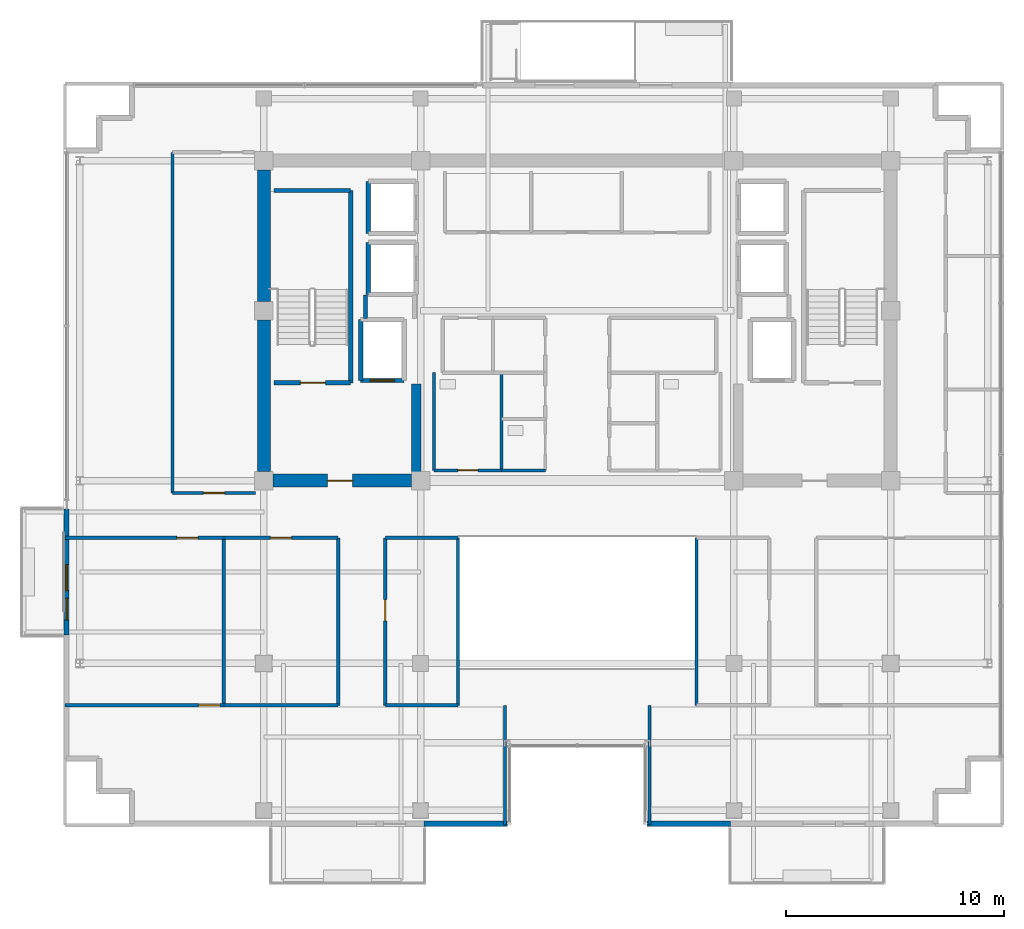
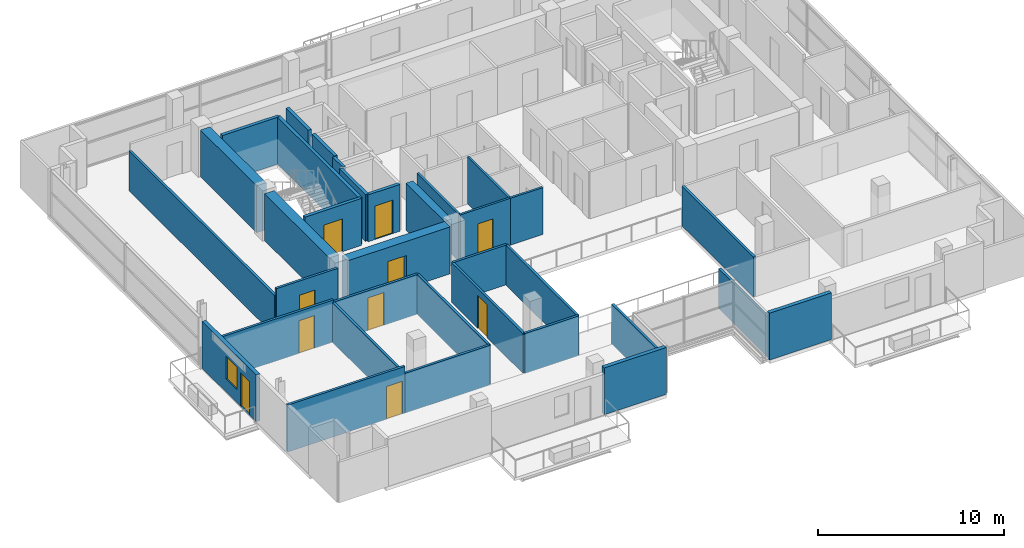
# One storey, part 16 of 24: 34 walls, 10 doors, 1 window, 11 openings.
"""IFC4 building model written with IfcOpenShell, lengths in metres."""

from ifc_helpers import new_model, si_unit, direction, frame, frame_2d, origin, place, context, subcontext, project, spatial, rectangle, extrude, source, transform, mapped, material, layer, layer_set, type_object, element, fill, save


model = new_model("IFC4")

# Units and contexts
model_context = context("Model", 3, precision=1e-05, world=origin(), true_north=direction((0.0, 1.0)))
body_context = subcontext(model_context, "Body", "Model", "MODEL_VIEW")
ifc_project = project(units=[si_unit("LENGTHUNIT", "METRE"), si_unit("AREAUNIT", "SQUARE_METRE"), si_unit("VOLUMEUNIT", "CUBIC_METRE"), si_unit("PLANEANGLEUNIT", "RADIAN"), si_unit("MASSUNIT", "GRAM", prefix="KILO")], contexts=[model_context])

# Site, building, storey
site_placement = place(None, origin())
site = spatial("IfcSite", under=ifc_project, at=site_placement, CompositionType="ELEMENT")
building_placement = place(site_placement, origin())
building = spatial("IfcBuilding", under=site, at=building_placement, Name="Zarnakvel Exchange Tower", CompositionType="ELEMENT")
storey_placement = place(building_placement, frame((0.0, 0.0, 208.89990234375)))
storey = spatial("IfcBuildingStorey", under=building, at=storey_placement, Name="L58", CompositionType="ELEMENT", Elevation=208.89990234375)

# Walls
ifc_material_1 = material(Name="Concrete C50/60", Category="concrete")
ifc_layer_1 = layer(ifc_material_1, 0.60009765625)
ifc_layer_set_1 = layer_set([ifc_layer_1], Name="Concrete C50/60")
wall_type_1 = type_object("IfcWallType", Name="CW-C5", PredefinedType="SHEAR", material=ifc_layer_set_1)
wall_1_placement = place(storey_placement, frame((-14.39990234375, -0.77490234375, 0.0), z_axis=(0.0, 0.0, 1.0), x_axis=(0.0, 1.0, 0.0)))
element("IfcWall", 1, at=wall_1_placement, inside=storey, type_object=wall_type_1, Name="L58 Rear Core Shear Wall W1 (CW-C5)", PredefinedType="SHEAR", context=body_context, shape_type="SweptSolid", body=[
    extrude(rectangle(XDim=6.949951171875, YDim=0.60009765625, at=frame_2d((3.47509765625, 0.0))), origin(), (0.0, 0.0, 1.0), 3.0751953125),
])
wall_2_placement = place(storey_placement, frame((-14.39990234375, 7.02490234375, 0.0), z_axis=(0.0, 0.0, 1.0), x_axis=(0.0, 1.0, 0.0)))
element("IfcWall", 2, at=wall_2_placement, inside=storey, type_object=wall_type_1, Name="L58 Rear Core Shear Wall W2 (CW-C5)", PredefinedType="SHEAR", context=body_context, shape_type="SweptSolid", body=[
    extrude(rectangle(XDim=6.050048828125, YDim=0.60009765625, at=frame_2d((3.02490234375, 0.0))), origin(), (0.0, 0.0, 1.0), 3.0751953125),
])

# Wall, opening, door
wall_3_placement = place(storey_placement, frame((-7.625, -1.199951171875, 0.0), z_axis=(0.0, 0.0, 1.0), x_axis=(-1.0, 0.0, 0.0)))
wall_3 = element("IfcWall", 3, at=wall_3_placement, inside=storey, type_object=wall_type_1, Name="L58 Rear Core Shear Wall SW (CW-C5)", PredefinedType="SHEAR", context=body_context, shape_type="SweptSolid", body=[
    extrude(rectangle(XDim=6.35009765625, YDim=0.60009765625, at=frame_2d((3.175048828125, 0.0))), origin(), (0.0, 0.0, 1.0), 3.0751953125),
])
opening_1_placement = place(wall_3_placement, frame((2.699951171875, 0.0, 0.0)))
opening_1 = element("IfcOpeningElement", 4, at=opening_1_placement, cuts=wall_3, Name="Opening D-L58-03", PredefinedType="OPENING", context=body_context, shape_type="SweptSolid", body=[
    extrude(rectangle(XDim=1.14990234375, YDim=2.14990234375, at=frame_2d((0.574951171875, 1.074951171875))), frame((0.0, 0.31005859375, 0.0), z_axis=(0.0, -1.0, 0.0), x_axis=(1.0, 0.0, 0.0)), (0.0, 0.0, 1.0), 0.6201171875),
])
ifc_material_2 = material(Name="Painted Galvanised Steel S355", Category="steel")
door_type_1 = type_object("IfcDoorType", Name="DT-04", OperationType="NOTDEFINED", PredefinedType="DOOR", material=ifc_material_2)
shared_shape_1 = source(origin(), body_context, "Body", "SweptSolid", [
    extrude(rectangle(XDim=1.14990234375, YDim=2.14990234375, at=frame_2d((0.574951171875, 1.074951171875))), frame((0.0, 0.02490234375, 0.0), z_axis=(0.0, -1.0, 0.0), x_axis=(1.0, 0.0, 0.0)), (0.0, 0.0, 1.0), 0.050048828125),
])
door_1_placement = place(opening_1_placement, origin())
door_1 = element("IfcDoor", 5, at=door_1_placement, inside=storey, type_object=door_type_1, Name="L58 Firefighting Lobby West Door D-L58-03", OperationType="SINGLE_SWING_RIGHT", OverallHeight=2.14990234375, OverallWidth=1.14990234375, PredefinedType="DOOR", context=body_context, shape_type="MappedRepresentation", body=[
    mapped(shared_shape_1, transform((0.0, 0.0, 0.0), x_axis=(1.0, 0.0, 0.0), y_axis=(0.0, 1.0, 0.0), z_axis=(0.0, 0.0, 1.0), scale=1.0)),
])
fill(opening_1, door_1)

# Wall
ifc_layer_2 = layer(ifc_material_1, 0.449951171875)
ifc_layer_set_2 = layer_set([ifc_layer_2], Name="Concrete C50/60")
wall_type_2 = type_object("IfcWallType", Name="CW-C6", PredefinedType="SHEAR", material=ifc_layer_set_2)
wall_4_placement = place(storey_placement, frame((-7.39990234375, -0.89990234375, 0.0), z_axis=(0.0, 0.0, 1.0), x_axis=(0.0, 1.0, 0.0)))
element("IfcWall", 6, at=wall_4_placement, inside=storey, type_object=wall_type_2, Name="L58 Rear Core Shear Wall IW (CW-C6)", PredefinedType="SHEAR", context=body_context, shape_type="SweptSolid", body=[
    extrude(rectangle(XDim=4.14990234375, YDim=0.449951171875, at=frame_2d((2.074951171875, 0.0))), origin(), (0.0, 0.0, 1.0), 3.0751953125),
])

# Wall, openings, door, window
ifc_material_3 = material(Name="Precast concrete C40/50", Category="concrete")
ifc_layer_3 = layer(ifc_material_3, 0.239990234375)
ifc_layer_set_3 = layer_set([ifc_layer_3], Name="Precast concrete C40/50")
wall_type_3 = type_object("IfcWallType", Name="EW-02", PredefinedType="SOLIDWALL", material=ifc_layer_set_3)
wall_5_placement = place(storey_placement, frame((-23.4599609375, -8.300048828125, 0.0), z_axis=(0.0, 0.0, 1.0), x_axis=(0.0, 1.0, 0.0)))
wall_5 = element("IfcWall", 7, at=wall_5_placement, inside=storey, type_object=wall_type_3, Name="L58 Exterior Precast Spandrel Wall EW-BAL-L58-W (EW-02)", PredefinedType="SOLIDWALL", context=body_context, shape_type="SweptSolid", body=[
    extrude(rectangle(XDim=5.800048828125, YDim=0.239990234375, at=frame_2d((2.89990234375, 0.0))), origin(), (0.0, 0.0, 1.0), 3.0751953125),
])
opening_2_placement = place(wall_5_placement, frame((0.696044921875, 0.0, 0.0)))
opening_2 = element("IfcOpeningElement", 8, at=opening_2_placement, cuts=wall_5, Name="Opening BD-L58-03", PredefinedType="OPENING", context=body_context, shape_type="SweptSolid", body=[
    extrude(rectangle(XDim=1.0, YDim=2.199951171875, at=frame_2d((0.5, 1.10009765625))), frame((0.0, 0.1298828125, 0.0), z_axis=(0.0, -1.0, 0.0), x_axis=(1.0, 0.0, 0.0)), (0.0, 0.0, 1.0), 0.260009765625),
])
opening_3_placement = place(wall_5_placement, frame((2.0458984375, 0.0, 0.85009765625)))
opening_3 = element("IfcOpeningElement", 9, at=opening_3_placement, cuts=wall_5, Name="Opening WN-04", PredefinedType="OPENING", context=body_context, shape_type="SweptSolid", body=[
    extrude(rectangle(XDim=1.199951171875, YDim=1.5, at=frame_2d((0.60009765625, 0.75))), frame((0.0, 0.1298828125, 0.0), z_axis=(0.0, -1.0, 0.0), x_axis=(1.0, 0.0, 0.0)), (0.0, 0.0, 1.0), 0.260009765625),
])
ifc_material_4 = material(Name="Architectural Bronze Anodised Aluminium", Category="aluminium")
door_type_2 = type_object("IfcDoorType", Name="DT-09", OperationType="NOTDEFINED", PredefinedType="DOOR", material=ifc_material_4)
shared_shape_2 = source(origin(), body_context, "Body", "SweptSolid", [
    extrude(rectangle(XDim=1.0, YDim=2.199951171875, at=frame_2d((0.5, 1.10009765625))), frame((0.0, 0.02490234375, 0.0), z_axis=(0.0, -1.0, 0.0), x_axis=(1.0, 0.0, 0.0)), (0.0, 0.0, 1.0), 0.050048828125),
])
door_2_placement = place(opening_2_placement, origin())
door_2 = element("IfcDoor", 10, at=door_2_placement, inside=storey, type_object=door_type_2, Name="L58 Planted Loggia Balcony Door BD-L58-03", OperationType="SINGLE_SWING_RIGHT", OverallHeight=2.199951171875, OverallWidth=1.0, PredefinedType="DOOR", context=body_context, shape_type="MappedRepresentation", body=[
    mapped(shared_shape_2, transform((0.0, 0.0, 0.0), x_axis=(1.0, 0.0, 0.0), y_axis=(0.0, 1.0, 0.0), z_axis=(0.0, 0.0, 1.0), scale=1.0)),
])
fill(opening_2, door_2)
ifc_material_5 = material(Name="Double Low-E Laminated Vision Glass", Category="glass")
window_type = type_object("IfcWindowType", Name="WN-04", PartitioningType="SINGLE_PANEL", PredefinedType="WINDOW", material=ifc_material_5)
shared_shape_3 = source(origin(), body_context, "Body", "SweptSolid", [
    extrude(rectangle(XDim=1.199951171875, YDim=1.5, at=frame_2d((0.60009765625, 0.75))), frame((0.0, 0.030029296875, 0.0), z_axis=(0.0, -1.0, 0.0), x_axis=(1.0, 0.0, 0.0)), (0.0, 0.0, 1.0), 0.06005859375),
])
window_placement = place(opening_3_placement, origin())
window = element("IfcWindow", 11, at=window_placement, inside=storey, type_object=window_type, Name="L58 Loggia Daylight Window (WN-04)", OverallHeight=1.5, OverallWidth=1.199951171875, PartitioningType="SINGLE_PANEL", PredefinedType="WINDOW", context=body_context, shape_type="MappedRepresentation", body=[
    mapped(shared_shape_3, transform((0.0, 0.0, 0.0), x_axis=(1.0, 0.0, 0.0), y_axis=(0.0, 1.0, 0.0), z_axis=(0.0, 0.0, 1.0), scale=1.0)),
])
fill(opening_3, window)

# Walls
for number, where, z_axis, x_axis, name in (
    (12, (3.199951171875, -16.9599609375, 0.0), (0.0, 0.0, 1.0), (1.0, 0.0, 0.0), "L58 Exterior Precast Spandrel Wall EWC-L58-18 (EW-02)"),
    (13, (-7.050048828125, -16.9599609375, 0.0), (0.0, 0.0, 1.0), (1.0, 0.0, 0.0), "L58 Exterior Precast Spandrel Wall EWC-L58-23 (EW-02)"),
):
    element("IfcWall", number, at=place(storey_placement, frame(where, z_axis=z_axis, x_axis=x_axis)), inside=storey, type_object=wall_type_3, Name=name, PredefinedType="SOLIDWALL", context=body_context, shape_type="SweptSolid", body=[
        extrude(rectangle(XDim=3.85009765625, YDim=0.239990234375, at=frame_2d((1.925048828125, 0.0))), origin(), (0.0, 0.0, 1.0), 3.0751953125),
    ])

# Wall, opening, door
ifc_material_6 = material(Name="Fire-Rated Gypsum Stud Partition", Category="gypsum")
ifc_layer_4 = layer(ifc_material_6, 0.14990234375)
ifc_layer_set_4 = layer_set([ifc_layer_4], Name="Fire-Rated Gypsum Stud Partition")
wall_type_4 = type_object("IfcWallType", Name="PT-01", PredefinedType="PARTITIONING", material=ifc_layer_set_4)
wall_6_placement = place(storey_placement, frame((-16.23583984375, -11.52001953125, 0.0), z_axis=(0.0, 0.0, 1.0), x_axis=(-1.0, 0.0, 0.0)))
wall_6 = element("IfcWall", 14, at=wall_6_placement, inside=storey, type_object=wall_type_4, Name="L58 Partition Wall PWALL-L58-044 (PT-01)", PredefinedType="PARTITIONING", context=body_context, shape_type="SweptSolid", body=[
    extrude(rectangle(XDim=7.294189453125, YDim=0.14990234375, at=frame_2d((3.64697265625, 0.0))), origin(), (0.0, 0.0, 1.0), 3.0751953125),
])
opening_4_placement = place(wall_6_placement, frame((0.179931640625, 0.0, 0.0)))
opening_4 = element("IfcOpeningElement", 15, at=opening_4_placement, cuts=wall_6, Name="Opening D-L58-19", PredefinedType="OPENING", context=body_context, shape_type="SweptSolid", body=[
    extrude(rectangle(XDim=0.97998046875, YDim=2.14990234375, at=frame_2d((0.489990234375, 1.074951171875))), frame((0.0, 0.0849609375, 0.0), z_axis=(0.0, -1.0, 0.0), x_axis=(1.0, 0.0, 0.0)), (0.0, 0.0, 1.0), 0.169921875),
])
ifc_material_7 = material(Name="Timber Acoustic Veneer", Category="wood")
door_type_3 = type_object("IfcDoorType", Name="DT-05", OperationType="NOTDEFINED", PredefinedType="DOOR", material=ifc_material_7)
shared_shape_4 = source(origin(), body_context, "Body", "SweptSolid", [
    extrude(rectangle(XDim=0.97998046875, YDim=2.14990234375, at=frame_2d((0.489990234375, 1.074951171875))), frame((0.0, 0.02490234375, 0.0), z_axis=(0.0, -1.0, 0.0), x_axis=(1.0, 0.0, 0.0)), (0.0, 0.0, 1.0), 0.050048828125),
])
door_3_placement = place(opening_4_placement, origin())
door_3 = element("IfcDoor", 16, at=door_3_placement, inside=storey, type_object=door_type_3, Name="L58 Electronic Trading Hall Door D-L58-19", OperationType="SINGLE_SWING_RIGHT", OverallHeight=2.14990234375, OverallWidth=0.97998046875, PredefinedType="DOOR", context=body_context, shape_type="MappedRepresentation", body=[
    mapped(shared_shape_4, transform((0.0, 0.0, 0.0), x_axis=(1.0, 0.0, 0.0), y_axis=(0.0, 1.0, 0.0), z_axis=(0.0, 0.0, 1.0), scale=1.0)),
])
fill(opening_4, door_3)

wall_7_placement = place(storey_placement, frame((-23.530029296875, -3.830078125, 0.0), z_axis=(0.0, 0.0, 1.0), x_axis=(1.0, 0.0, 0.0)))
wall_7 = element("IfcWall", 17, at=wall_7_placement, inside=storey, type_object=wall_type_4, Name="L58 Partition Wall PWALL-L58-045 (PT-01)", PredefinedType="PARTITIONING", context=body_context, shape_type="SweptSolid", body=[
    extrude(rectangle(XDim=7.294189453125, YDim=0.14990234375, at=frame_2d((3.64697265625, 0.0))), origin(), (0.0, 0.0, 1.0), 2.76513671875),
])
opening_5_placement = place(wall_7_placement, frame((5.132080078125, 0.0, 0.0)))
opening_5 = element("IfcOpeningElement", 18, at=opening_5_placement, cuts=wall_7, Name="Opening D-L58-17", PredefinedType="OPENING", context=body_context, shape_type="SweptSolid", body=[
    extrude(rectangle(XDim=0.97998046875, YDim=2.14990234375, at=frame_2d((0.489990234375, 1.074951171875))), frame((0.0, 0.0849609375, 0.0), z_axis=(0.0, -1.0, 0.0), x_axis=(1.0, 0.0, 0.0)), (0.0, 0.0, 1.0), 0.169921875),
])
door_4_placement = place(opening_5_placement, origin())
door_4 = element("IfcDoor", 19, at=door_4_placement, inside=storey, type_object=door_type_3, Name="L58 Electronic Trading Hall Door D-L58-17", OperationType="SINGLE_SWING_RIGHT", OverallHeight=2.14990234375, OverallWidth=0.97998046875, PredefinedType="DOOR", context=body_context, shape_type="MappedRepresentation", body=[
    mapped(shared_shape_4, transform((0.0, 0.0, 0.0), x_axis=(1.0, 0.0, 0.0), y_axis=(0.0, 1.0, 0.0), z_axis=(0.0, 0.0, 1.0), scale=1.0)),
])
fill(opening_5, door_4)

# Walls
wall_8_placement = place(storey_placement, frame((-16.23583984375, -3.830078125, 0.0), z_axis=(0.0, 0.0, 1.0), x_axis=(0.0, -1.0, 0.0)))
element("IfcWall", 20, at=wall_8_placement, inside=storey, type_object=wall_type_4, Name="L58 Partition Wall PWALL-L58-047 (PT-01)", PredefinedType="PARTITIONING", context=body_context, shape_type="SweptSolid", body=[
    extrude(rectangle(XDim=7.68994140625, YDim=0.14990234375, at=frame_2d((3.844970703125, 0.0))), origin(), (0.0, 0.0, 1.0), 2.614990234375),
])
wall_9_placement = place(storey_placement, frame((-10.97998046875, -11.52001953125, 0.0), z_axis=(0.0, 0.0, 1.0), x_axis=(-1.0, 0.0, 0.0)))
element("IfcWall", 21, at=wall_9_placement, inside=storey, type_object=wall_type_4, Name="L58 Partition Wall PWALL-L58-048 (PT-01)", PredefinedType="PARTITIONING", context=body_context, shape_type="SweptSolid", body=[
    extrude(rectangle(XDim=5.255859375, YDim=0.14990234375, at=frame_2d((2.6279296875, 0.0))), origin(), (0.0, 0.0, 1.0), 2.614990234375),
])

# Wall, opening, door
wall_10_placement = place(storey_placement, frame((-16.23583984375, -3.830078125, 0.0), z_axis=(0.0, 0.0, 1.0), x_axis=(1.0, 0.0, 0.0)))
wall_10 = element("IfcWall", 22, at=wall_10_placement, inside=storey, type_object=wall_type_4, Name="L58 Partition Wall PWALL-L58-049 (PT-01)", PredefinedType="PARTITIONING", context=body_context, shape_type="SweptSolid", body=[
    extrude(rectangle(XDim=5.255859375, YDim=0.14990234375, at=frame_2d((2.6279296875, 0.0))), origin(), (0.0, 0.0, 1.0), 2.614990234375),
])
opening_6_placement = place(wall_10_placement, frame((2.1376953125, 0.0, 0.0)))
opening_6 = element("IfcOpeningElement", 23, at=opening_6_placement, cuts=wall_10, Name="Opening D-L58-18", PredefinedType="OPENING", context=body_context, shape_type="SweptSolid", body=[
    extrude(rectangle(XDim=0.97998046875, YDim=2.14990234375, at=frame_2d((0.489990234375, 1.074951171875))), frame((0.0, 0.0849609375, 0.0), z_axis=(0.0, -1.0, 0.0), x_axis=(1.0, 0.0, 0.0)), (0.0, 0.0, 1.0), 0.169921875),
])
door_5_placement = place(opening_6_placement, origin())
door_5 = element("IfcDoor", 24, at=door_5_placement, inside=storey, type_object=door_type_3, Name="L58 Brokerage Workspace Door D-L58-18", OperationType="SINGLE_SWING_LEFT", OverallHeight=2.14990234375, OverallWidth=0.97998046875, PredefinedType="DOOR", context=body_context, shape_type="MappedRepresentation", body=[
    mapped(shared_shape_4, transform((0.0, 0.0, 0.0), x_axis=(1.0, 0.0, 0.0), y_axis=(0.0, 1.0, 0.0), z_axis=(0.0, 0.0, 1.0), scale=1.0)),
])
fill(opening_6, door_5)

# Walls
wall_11_placement = place(storey_placement, frame((-10.97998046875, -3.830078125, 0.0), z_axis=(0.0, 0.0, 1.0), x_axis=(0.0, -1.0, 0.0)))
element("IfcWall", 25, at=wall_11_placement, inside=storey, type_object=wall_type_4, Name="L58 Partition Wall PWALL-L58-050 (PT-01)", PredefinedType="PARTITIONING", context=body_context, shape_type="SweptSolid", body=[
    extrude(rectangle(XDim=7.68994140625, YDim=0.14990234375, at=frame_2d((3.844970703125, 0.0))), origin(), (0.0, 0.0, 1.0), 2.614990234375),
])
for number, where, z_axis, x_axis, name in (
    (26, (-3.320068359375, -11.52001953125, 0.0), (0.0, 0.0, 1.0), (0.0, -1.0, 0.0), "L58 Partition Wall PWALL-L58-053 (PT-01)"),
    (27, (3.320068359375, -17.030029296875, 0.0), (0.0, 0.0, 1.0), (0.0, 1.0, 0.0), "L58 Partition Wall PWALL-L58-059 (PT-01)"),
):
    element("IfcWall", number, at=place(storey_placement, frame(where, z_axis=z_axis, x_axis=x_axis)), inside=storey, type_object=wall_type_4, Name=name, PredefinedType="PARTITIONING", context=body_context, shape_type="SweptSolid", body=[
        extrude(rectangle(XDim=5.510009765625, YDim=0.14990234375, at=frame_2d((2.7548828125, 0.0))), origin(), (0.0, 0.0, 1.0), 2.614990234375),
    ])
for number, where, z_axis, x_axis, name in (
    (28, (-5.47998046875, -11.52001953125, 0.0), (0.0, 0.0, 1.0), (-1.0, 0.0, 0.0), "L58 Partition Wall PWALL-L58-061 (PT-01)"),
    (29, (-8.820068359375, -3.830078125, 0.0), (0.0, 0.0, 1.0), (1.0, 0.0, 0.0), "L58 Partition Wall PWALL-L58-062 (PT-01)"),
):
    element("IfcWall", number, at=place(storey_placement, frame(where, z_axis=z_axis, x_axis=x_axis)), inside=storey, type_object=wall_type_4, Name=name, PredefinedType="PARTITIONING", context=body_context, shape_type="SweptSolid", body=[
        extrude(rectangle(XDim=3.340087890625, YDim=0.14990234375, at=frame_2d((1.669921875, 0.0))), origin(), (0.0, 0.0, 1.0), 2.614990234375),
    ])

# Wall, opening, door
wall_12_placement = place(storey_placement, frame((-8.820068359375, -11.52001953125, 0.0), z_axis=(0.0, 0.0, 1.0), x_axis=(0.0, 1.0, 0.0)))
wall_12 = element("IfcWall", 30, at=wall_12_placement, inside=storey, type_object=wall_type_4, Name="L58 Partition Wall PWALL-L58-063 (PT-01)", PredefinedType="PARTITIONING", context=body_context, shape_type="SweptSolid", body=[
    extrude(rectangle(XDim=7.68994140625, YDim=0.14990234375, at=frame_2d((3.844970703125, 0.0))), origin(), (0.0, 0.0, 1.0), 2.614990234375),
])
opening_7_placement = place(wall_12_placement, frame((3.875, 0.0, 0.0)))
opening_7 = element("IfcOpeningElement", 31, at=opening_7_placement, cuts=wall_12, Name="Opening D-L58-22", PredefinedType="OPENING", context=body_context, shape_type="SweptSolid", body=[
    extrude(rectangle(XDim=0.97998046875, YDim=2.14990234375, at=frame_2d((0.489990234375, 1.074951171875))), frame((0.0, 0.0849609375, 0.0), z_axis=(0.0, -1.0, 0.0), x_axis=(1.0, 0.0, 0.0)), (0.0, 0.0, 1.0), 0.169921875),
])
door_6_placement = place(opening_7_placement, origin())
door_6 = element("IfcDoor", 32, at=door_6_placement, inside=storey, type_object=door_type_3, Name="L58 Staff Pantry Door D-L58-22", OperationType="SINGLE_SWING_LEFT", OverallHeight=2.14990234375, OverallWidth=0.97998046875, PredefinedType="DOOR", context=body_context, shape_type="MappedRepresentation", body=[
    mapped(shared_shape_4, transform((0.0, 0.0, 0.0), x_axis=(1.0, 0.0, 0.0), y_axis=(0.0, 1.0, 0.0), z_axis=(0.0, 0.0, 1.0), scale=1.0)),
])
fill(opening_7, door_6)

# Walls
for number, where, z_axis, x_axis, name in (
    (33, (-5.47998046875, -3.830078125, 0.0), (0.0, 0.0, 1.0), (0.0, -1.0, 0.0), "L58 Partition Wall PWALL-L58-064 (PT-01)"),
    (34, (5.47998046875, -11.52001953125, 0.0), (0.0, 0.0, 1.0), (0.0, 1.0, 0.0), "L58 Partition Wall PWALL-L58-067 (PT-01)"),
):
    element("IfcWall", number, at=place(storey_placement, frame(where, z_axis=z_axis, x_axis=x_axis)), inside=storey, type_object=wall_type_4, Name=name, PredefinedType="PARTITIONING", context=body_context, shape_type="SweptSolid", body=[
        extrude(rectangle(XDim=7.68994140625, YDim=0.14990234375, at=frame_2d((3.844970703125, 0.0))), origin(), (0.0, 0.0, 1.0), 2.614990234375),
    ])

# Wall, opening, door
wall_13_placement = place(storey_placement, frame((-14.77001953125, -1.77001953125, 0.0), z_axis=(0.0, 0.0, 1.0), x_axis=(-1.0, 0.0, 0.0)))
wall_13 = element("IfcWall", 35, at=wall_13_placement, inside=storey, type_object=wall_type_4, Name="L58 Partition Wall PWALL-L58-069 (PT-01)", PredefinedType="PARTITIONING", context=body_context, shape_type="SweptSolid", body=[
    extrude(rectangle(XDim=3.82958984375, YDim=0.14990234375, at=frame_2d((1.914794921875, 0.0))), origin(), (0.0, 0.0, 1.0), 3.0751953125),
])
opening_8_placement = place(wall_13_placement, frame((1.425048828125, 0.0, 0.0)))
opening_8 = element("IfcOpeningElement", 36, at=opening_8_placement, cuts=wall_13, Name="Opening D-L58-24", PredefinedType="OPENING", context=body_context, shape_type="SweptSolid", body=[
    extrude(rectangle(XDim=0.97998046875, YDim=2.14990234375, at=frame_2d((0.489990234375, 1.074951171875))), frame((0.0, 0.0849609375, 0.0), z_axis=(0.0, -1.0, 0.0), x_axis=(1.0, 0.0, 0.0)), (0.0, 0.0, 1.0), 0.169921875),
])
door_7_placement = place(opening_8_placement, origin())
door_7 = element("IfcDoor", 37, at=door_7_placement, inside=storey, type_object=door_type_3, Name="L58 Staff Pantry Door D-L58-24", OperationType="SINGLE_SWING_LEFT", OverallHeight=2.14990234375, OverallWidth=0.97998046875, PredefinedType="DOOR", context=body_context, shape_type="MappedRepresentation", body=[
    mapped(shared_shape_4, transform((0.0, 0.0, 0.0), x_axis=(1.0, 0.0, 0.0), y_axis=(0.0, 1.0, 0.0), z_axis=(0.0, 0.0, 1.0), scale=1.0)),
])
fill(opening_8, door_7)

# Walls
wall_14_placement = place(storey_placement, frame((-18.599609375, -1.77001953125, 0.0), z_axis=(0.0, 0.0, 1.0), x_axis=(0.0, 1.0, 0.0)))
element("IfcWall", 38, at=wall_14_placement, inside=storey, type_object=wall_type_4, Name="L58 Partition Wall PWALL-L58-071 (PT-01)", PredefinedType="PARTITIONING", context=body_context, shape_type="SweptSolid", body=[
    extrude(rectangle(XDim=15.64990234375, YDim=0.14990234375, at=frame_2d((7.824951171875, 0.0))), origin(), (0.0, 0.0, 1.0), 2.614990234375),
])
ifc_layer_5 = layer(ifc_material_6, 0.179931640625)
ifc_layer_set_5 = layer_set([ifc_layer_5], Name="Fire-Rated Gypsum Stud Partition")
wall_type_5 = type_object("IfcWallType", Name="PT-02", PredefinedType="PARTITIONING", material=ifc_layer_set_5)
wall_15_placement = place(storey_placement, frame((-9.72998046875, 6.239990234375, 0.0), z_axis=(0.0, 0.0, 1.0), x_axis=(0.0, 1.0, 0.0)))
element("IfcWall", 39, at=wall_15_placement, inside=storey, type_object=wall_type_5, Name="L58 Partition Wall PWALL-L58-007 (PT-02)", PredefinedType="PARTITIONING", context=body_context, shape_type="SweptSolid", body=[
    extrude(rectangle(XDim=1.090087890625, YDim=0.179931640625, at=frame_2d((0.544921875, 0.0))), origin(), (0.0, 0.0, 1.0), 3.0751953125),
])

# Wall, opening, door
ifc_material_8 = material(Name="Moisture-Resistant Tile-Faced Partition", Category="gypsum")
ifc_layer_6 = layer(ifc_material_8, 0.135009765625)
ifc_layer_set_6 = layer_set([ifc_layer_6], Name="Moisture-Resistant Tile-Faced Partition")
wall_type_6 = type_object("IfcWallType", Name="PT-03", PredefinedType="PARTITIONING", material=ifc_layer_set_6)
wall_16_placement = place(storey_placement, frame((-3.469970703125, -0.72998046875, 0.0), z_axis=(0.0, 0.0, 1.0), x_axis=(-1.0, 0.0, 0.0)))
wall_16 = element("IfcWall", 40, at=wall_16_placement, inside=storey, type_object=wall_type_6, Name="L58 Partition Wall PWALL-L58-029 (PT-03)", PredefinedType="PARTITIONING", context=body_context, shape_type="SweptSolid", body=[
    extrude(rectangle(XDim=3.110107421875, YDim=0.135009765625, at=frame_2d((1.55517578125, 0.0))), origin(), (0.0, 0.0, 1.0), 3.0751953125),
])
opening_9_placement = place(wall_16_placement, frame((1.090087890625, 0.0, 0.0)))
opening_9 = element("IfcOpeningElement", 41, at=opening_9_placement, cuts=wall_16, Name="Opening D-L58-11", PredefinedType="OPENING", context=body_context, shape_type="SweptSolid", body=[
    extrude(rectangle(XDim=0.919921875, YDim=2.10009765625, at=frame_2d((0.4599609375, 1.050048828125))), frame((0.0, 0.077392578125, 0.0), z_axis=(0.0, -1.0, 0.0), x_axis=(1.0, 0.0, 0.0)), (0.0, 0.0, 1.0), 0.155029296875),
])
ifc_material_9 = material(Name="Moisture-Resistant Laminate Timber", Category="wood")
door_type_4 = type_object("IfcDoorType", Name="DT-07", OperationType="NOTDEFINED", PredefinedType="DOOR", material=ifc_material_9)
shared_shape_5 = source(origin(), body_context, "Body", "SweptSolid", [
    extrude(rectangle(XDim=0.919921875, YDim=2.10009765625, at=frame_2d((0.4599609375, 1.050048828125))), frame((0.0, 0.02490234375, 0.0), z_axis=(0.0, -1.0, 0.0), x_axis=(1.0, 0.0, 0.0)), (0.0, 0.0, 1.0), 0.050048828125),
])
door_8_placement = place(opening_9_placement, origin())
door_8 = element("IfcDoor", 42, at=door_8_placement, inside=storey, type_object=door_type_4, Name="L58 Male Toilet Door D-L58-11", OperationType="SINGLE_SWING_RIGHT", OverallHeight=2.10009765625, OverallWidth=0.919921875, PredefinedType="DOOR", context=body_context, shape_type="MappedRepresentation", body=[
    mapped(shared_shape_5, transform((0.0, 0.0, 0.0), x_axis=(1.0, 0.0, 0.0), y_axis=(0.0, 1.0, 0.0), z_axis=(0.0, 0.0, 1.0), scale=1.0)),
])
fill(opening_9, door_8)

# Walls
for number, where, z_axis, x_axis, name in (
    (43, (-6.580078125, -0.72998046875, 0.0), (0.0, 0.0, 1.0), (0.0, 1.0, 0.0), "L58 Partition Wall PWALL-L58-030 (PT-03)"),
    (44, (-3.469970703125, 3.760009765625, 0.0), (0.0, 0.0, 1.0), (0.0, -1.0, 0.0), "L58 Partition Wall PWALL-L58-031 (PT-03)"),
):
    element("IfcWall", number, at=place(storey_placement, frame(where, z_axis=z_axis, x_axis=x_axis)), inside=storey, type_object=wall_type_6, Name=name, PredefinedType="PARTITIONING", context=body_context, shape_type="SweptSolid", body=[
        extrude(rectangle(XDim=4.489990234375, YDim=0.135009765625, at=frame_2d((2.2451171875, 0.0))), origin(), (0.0, 0.0, 1.0), 3.0751953125),
    ])
wall_17_placement = place(storey_placement, frame((-1.469970703125, -0.72998046875, 0.0), z_axis=(0.0, 0.0, 1.0), x_axis=(-1.0, 0.0, 0.0)))
element("IfcWall", 45, at=wall_17_placement, inside=storey, type_object=wall_type_6, Name="L58 Partition Wall PWALL-L58-032 (PT-03)", PredefinedType="PARTITIONING", context=body_context, shape_type="SweptSolid", body=[
    extrude(rectangle(XDim=2.0, YDim=0.135009765625, at=frame_2d((1.0, 0.0))), origin(), (0.0, 0.0, 1.0), 3.0751953125),
])

# Wall, opening, door
ifc_material_10 = material(Name="Concrete C40/50", Category="concrete")
ifc_layer_7 = layer(ifc_material_10, 0.199951171875)
ifc_layer_set_7 = layer_set([ifc_layer_7], Name="Concrete C40/50")
wall_type_7 = type_object("IfcWallType", Name="SW-01", PredefinedType="SOLIDWALL", material=ifc_layer_set_7)
wall_18_placement = place(storey_placement, frame((-7.949951171875, 3.39990234375, 0.0), z_axis=(0.0, 0.0, 1.0), x_axis=(-1.0, 0.0, 0.0)))
wall_18 = element("IfcWall", 46, at=wall_18_placement, inside=storey, type_object=wall_type_7, Name="L58 FL-01 Hoistway Wall South", PredefinedType="SOLIDWALL", context=body_context, shape_type="SweptSolid", body=[
    extrude(rectangle(XDim=2.0, YDim=0.199951171875, at=frame_2d((1.0, 0.0))), origin(), (0.0, 0.0, 1.0), 3.0751953125),
])
opening_10_placement = place(wall_18_placement, frame((0.449951171875, 0.0, 0.0)))
opening_10 = element("IfcOpeningElement", 47, at=opening_10_placement, cuts=wall_18, Name="Opening LD-FL-01-L58", PredefinedType="OPENING", context=body_context, shape_type="SweptSolid", body=[
    extrude(rectangle(XDim=1.10009765625, YDim=2.199951171875, at=frame_2d((0.550048828125, 1.10009765625))), frame((0.0, 0.10986328125, 0.0), z_axis=(0.0, -1.0, 0.0), x_axis=(1.0, 0.0, 0.0)), (0.0, 0.0, 1.0), 0.219970703125),
])
ifc_material_11 = material(Name="Brushed Stainless Steel", Category="steel")
door_type_5 = type_object("IfcDoorType", Name="LDT-01", OperationType="NOTDEFINED", PredefinedType="DOOR", material=ifc_material_11)
shared_shape_6 = source(origin(), body_context, "Body", "SweptSolid", [
    extrude(rectangle(XDim=1.10009765625, YDim=2.199951171875, at=frame_2d((0.550048828125, 1.10009765625))), frame((0.0, 0.02490234375, 0.0), z_axis=(0.0, -1.0, 0.0), x_axis=(1.0, 0.0, 0.0)), (0.0, 0.0, 1.0), 0.050048828125),
])
door_9_placement = place(opening_10_placement, origin())
door_9 = element("IfcDoor", 48, at=door_9_placement, inside=storey, type_object=door_type_5, Name="L58 FL-01 Lift Landing Door LD-FL-01-L58", OperationType="DOUBLE_DOOR_SLIDING", OverallHeight=2.199951171875, OverallWidth=1.10009765625, PredefinedType="DOOR", context=body_context, shape_type="MappedRepresentation", body=[
    mapped(shared_shape_6, transform((0.0, 0.0, 0.0), x_axis=(1.0, 0.0, 0.0), y_axis=(0.0, 1.0, 0.0), z_axis=(0.0, 0.0, 1.0), scale=1.0)),
])
fill(opening_10, door_9)

# Walls
wall_19_placement = place(storey_placement, frame((-9.949951171875, 3.39990234375, 0.0), z_axis=(0.0, 0.0, 1.0), x_axis=(0.0, 1.0, 0.0)))
element("IfcWall", 49, at=wall_19_placement, inside=storey, type_object=wall_type_7, Name="L58 FL-01 Hoistway Wall West", PredefinedType="SOLIDWALL", context=body_context, shape_type="SweptSolid", body=[
    extrude(rectangle(XDim=2.800048828125, YDim=0.199951171875, at=frame_2d((1.39990234375, 0.0))), origin(), (0.0, 0.0, 1.0), 3.0751953125),
])
wall_20_placement = place(storey_placement, frame((-9.60009765625, 7.35009765625, 0.0), z_axis=(0.0, 0.0, 1.0), x_axis=(0.0, 1.0, 0.0)))
element("IfcWall", 50, at=wall_20_placement, inside=storey, type_object=wall_type_7, Name="L58 PL-09 Hoistway Wall West", PredefinedType="SOLIDWALL", context=body_context, shape_type="SweptSolid", body=[
    extrude(rectangle(XDim=2.39990234375, YDim=0.199951171875, at=frame_2d((1.199951171875, 0.0))), origin(), (0.0, 0.0, 1.0), 3.0751953125),
])
wall_21_placement = place(storey_placement, frame((-9.60009765625, 10.14990234375, 0.0), z_axis=(0.0, 0.0, 1.0), x_axis=(0.0, 1.0, 0.0)))
element("IfcWall", 51, at=wall_21_placement, inside=storey, type_object=wall_type_7, Name="L58 PL-10 Hoistway Wall West", PredefinedType="SOLIDWALL", context=body_context, shape_type="SweptSolid", body=[
    extrude(rectangle(XDim=2.400146484375, YDim=0.199951171875, at=frame_2d((1.2001953125, 0.0))), origin(), (0.0, 0.0, 1.0), 3.0751953125),
])

# Wall, opening, door
ifc_layer_8 = layer(ifc_material_10, 0.199951171875)
ifc_layer_set_8 = layer_set([ifc_layer_8], Name="Concrete C40/50")
wall_type_8 = type_object("IfcWallType", Name="SW-02", PredefinedType="SOLIDWALL", material=ifc_layer_set_8)
wall_22_placement = place(storey_placement, frame((-10.409912109375, 3.2900390625, 0.0), z_axis=(0.0, 0.0, 1.0), x_axis=(-1.0, 0.0, 0.0)))
wall_22 = element("IfcWall", 52, at=wall_22_placement, inside=storey, type_object=wall_type_8, Name="L58 Stairwell Core Wall PWALL-L58-001 (SW-02)", PredefinedType="SOLIDWALL", context=body_context, shape_type="SweptSolid", body=[
    extrude(rectangle(XDim=3.52001953125, YDim=0.199951171875, at=frame_2d((1.760009765625, 0.0))), origin(), (0.0, 0.0, 1.0), 3.0751953125),
])
opening_11_placement = place(wall_22_placement, frame((1.1650390625, 0.0, 0.0)))
opening_11 = element("IfcOpeningElement", 53, at=opening_11_placement, cuts=wall_22, Name="Opening D-L58-01", PredefinedType="OPENING", context=body_context, shape_type="SweptSolid", body=[
    extrude(rectangle(XDim=1.14990234375, YDim=2.14990234375, at=frame_2d((0.574951171875, 1.074951171875))), frame((0.0, 0.10986328125, 0.0), z_axis=(0.0, -1.0, 0.0), x_axis=(1.0, 0.0, 0.0)), (0.0, 0.0, 1.0), 0.219970703125),
])
door_10_placement = place(opening_11_placement, origin())
door_10 = element("IfcDoor", 54, at=door_10_placement, inside=storey, type_object=door_type_1, Name="L58 Stairwell ST-01 Door D-L58-01", OperationType="SINGLE_SWING_RIGHT", OverallHeight=2.14990234375, OverallWidth=1.14990234375, PredefinedType="DOOR", context=body_context, shape_type="MappedRepresentation", body=[
    mapped(shared_shape_1, transform((0.0, 0.0, 0.0), x_axis=(1.0, 0.0, 0.0), y_axis=(0.0, 1.0, 0.0), z_axis=(0.0, 0.0, 1.0), scale=1.0)),
])
fill(opening_11, door_10)

# Walls
wall_23_placement = place(storey_placement, frame((-13.929931640625, 12.1298828125, 0.0), z_axis=(0.0, 0.0, 1.0), x_axis=(1.0, 0.0, 0.0)))
element("IfcWall", 55, at=wall_23_placement, inside=storey, type_object=wall_type_8, Name="L58 Stairwell Core Wall PWALL-L58-002 (SW-02)", PredefinedType="SOLIDWALL", context=body_context, shape_type="SweptSolid", body=[
    extrude(rectangle(XDim=3.52001953125, YDim=0.199951171875, at=frame_2d((1.760009765625, 0.0))), origin(), (0.0, 0.0, 1.0), 3.0751953125),
])
wall_24_placement = place(storey_placement, frame((-10.409912109375, 12.1298828125, 0.0), z_axis=(0.0, 0.0, 1.0), x_axis=(0.0, -1.0, 0.0)))
element("IfcWall", 56, at=wall_24_placement, inside=storey, type_object=wall_type_8, Name="L58 Stairwell Core Wall PWALL-L58-003 (SW-02)", PredefinedType="SOLIDWALL", context=body_context, shape_type="SweptSolid", body=[
    extrude(rectangle(XDim=8.83984375, YDim=0.199951171875, at=frame_2d((4.419921875, 0.0))), origin(), (0.0, 0.0, 1.0), 3.0751953125),
])

save(model, "model.ifc")
